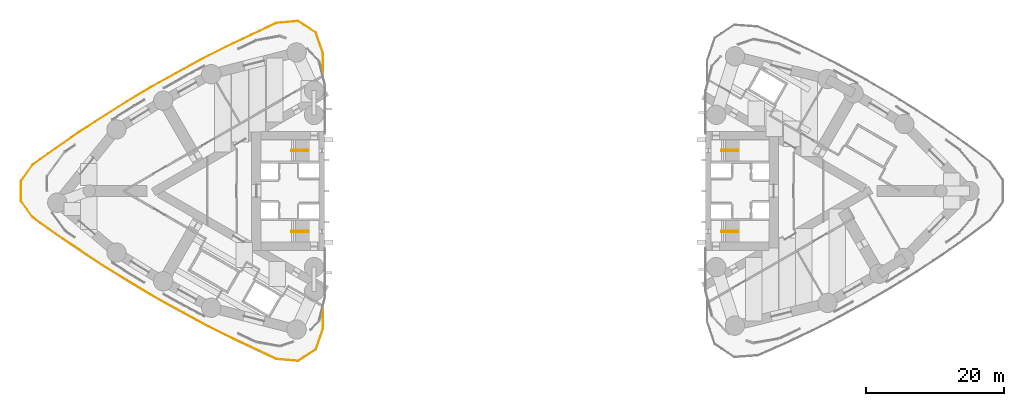
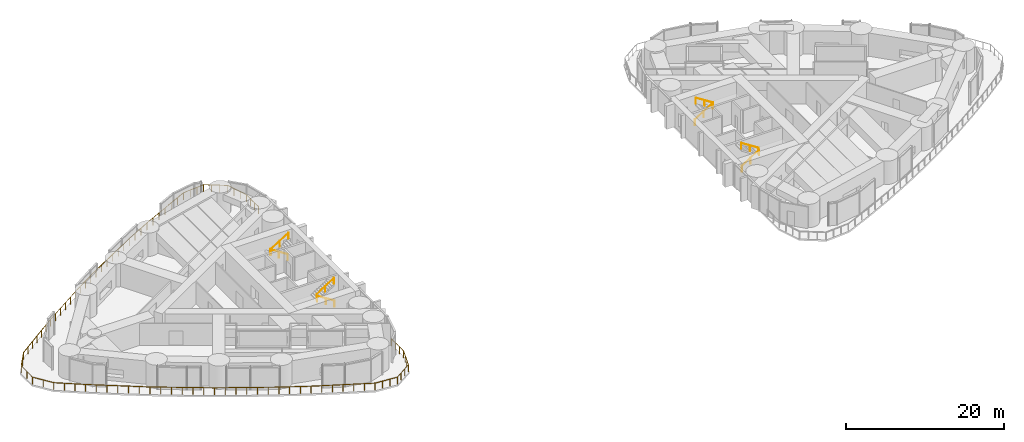
# One storey, part 16 of 17: 9 railings.
"""IFC4 building model written with IfcOpenShell, lengths in metres."""

from ifc_helpers import new_model, si_unit, direction, frame, origin, origin_2d, place, context, subcontext, project, spatial, circle, extrude, material, type_object, element, save


model = new_model("IFC4")

# Units and contexts
model_context = context("Model", 3, precision=1e-05, world=origin(), true_north=direction((0.0, 1.0)))
body_context = subcontext(model_context, "Body", "Model", "MODEL_VIEW")
ifc_project = project(units=[si_unit("LENGTHUNIT", "METRE"), si_unit("AREAUNIT", "SQUARE_METRE"), si_unit("VOLUMEUNIT", "CUBIC_METRE"), si_unit("PLANEANGLEUNIT", "RADIAN"), si_unit("MASSUNIT", "GRAM", prefix="KILO")], contexts=[model_context])

# Site, building, storey
site_placement = place(None, origin())
site = spatial("IfcSite", under=ifc_project, at=site_placement, CompositionType="ELEMENT")
building_placement = place(site_placement, origin())
building = spatial("IfcBuilding", under=site, at=building_placement, Name="Lancet Gate Hotel", CompositionType="ELEMENT")
storey_placement = place(building_placement, frame((0.0, 0.0, 152.699951171875)))
storey = spatial("IfcBuildingStorey", under=building, at=storey_placement, Name="L40", CompositionType="ELEMENT", Elevation=152.699951171875)

# Railings
ifc_material_1 = material(Name="Galvanised steel guard rail", Category="steel")
railing_type_1 = type_object("IfcRailingType", Name="Roof guard rail 1100", PredefinedType="GUARDRAIL", material=ifc_material_1)
railing_1_placement = place(storey_placement, frame((-27.77001953125, 16.881591796875, 0.0)))
element("IfcRailing", 1, at=railing_1_placement, inside=storey, type_object=railing_type_1, Name="T1 L40 maintenance roof guard rail", PredefinedType="GUARDRAIL", context=body_context, shape_type="SweptSolid", body=[
    extrude(circle(Radius=0.02392578125, at=origin_2d()), frame((0.0, 0.0, 1.076171875), z_axis=(0.0, 1.0, 0.0), x_axis=(-1.0, 0.0, 0.0)), (0.0, 0.0, 1.0), 3.044189453125),
    extrude(circle(Radius=0.02392578125, at=origin_2d()), frame((0.0, 3.044189453125, 1.076171875), z_axis=(-0.325493425459, 0.945544303554, 0.0), x_axis=(-0.945544303554, -0.325493425459, 0.0)), (0.0, 0.0, 1.0), 3.1171875),
    extrude(circle(Radius=0.02392578125, at=origin_2d()), frame((-1.0146484375, 5.99169921875, 1.076171875), z_axis=(-0.838599882662, 0.544747865346, 0.0), x_axis=(-0.544747865346, -0.838599882662, 0.0)), (0.0, 0.0, 1.0), 3.069091796875),
    extrude(circle(Radius=0.02392578125, at=origin_2d()), frame((-3.58837890625, 7.66357421875, 1.076171875), z_axis=(-0.996223514369, -0.086825741676, 0.0), x_axis=(0.086825741676, -0.996223514369, 0.0)), (0.0, 0.0, 1.0), 3.115478515625),
    extrude(circle(Radius=0.02392578125, at=origin_2d()), frame((-6.692138671875, 7.39306640625, 1.076171875), z_axis=(-0.904693404206, -0.42606319295, 0.0), x_axis=(0.42606319295, -0.904693404206, 0.0)), (0.0, 0.0, 1.0), 8.127685546875),
    extrude(circle(Radius=0.02392578125, at=origin_2d()), frame((-14.045166015625, 3.93017578125, 1.076171875), z_axis=(-0.890509467584, -0.454964710876, 0.0), x_axis=(0.454964710876, -0.890509467584, 0.0)), (0.0, 0.0, 1.0), 4.085693359375),
    extrude(circle(Radius=0.02392578125, at=origin_2d()), frame((-17.68359375, 2.0712890625, 1.076171875), z_axis=(-0.875328732377, -0.483528293148, 0.0), x_axis=(0.483528293148, -0.875328732377, 0.0)), (0.0, 0.0, 1.0), 8.171142578125),
    extrude(circle(Radius=0.02392578125, at=origin_2d()), frame((-24.8359375, -1.879638671875, 1.076171875), z_axis=(-0.859269748716, -0.511522725733, 0.0), x_axis=(0.511522725733, -0.859269748716, 0.0)), (0.0, 0.0, 1.0), 4.0859375),
    extrude(circle(Radius=0.02392578125, at=origin_2d()), frame((-28.346923828125, -3.9697265625, 1.076171875), z_axis=(-0.842315351348, -0.538985017309, 0.0), x_axis=(0.538985017309, -0.842315351348, 0.0)), (0.0, 0.0, 1.0), 8.1708984375),
    extrude(circle(Radius=0.02392578125, at=origin_2d()), frame((-35.2294921875, -8.373779296875, 1.076171875), z_axis=(-0.81834781701, -0.574723281585, 0.0), x_axis=(0.574723281585, -0.81834781701, 0.0)), (0.0, 0.0, 1.0), 8.130126953125),
    extrude(circle(Radius=0.02392578125, at=origin_2d()), frame((-41.8828125, -13.04638671875, 1.076171875), z_axis=(-0.584820626902, -0.811162643587, 0.0), x_axis=(0.811162643587, -0.584820626902, 0.0)), (0.0, 0.0, 1.0), 2.94140625),
    extrude(circle(Radius=0.02392578125, at=origin_2d()), frame((-43.60302734375, -15.432373046875, 1.076171875), z_axis=(0.0, -1.0, 0.0), x_axis=(1.0, 0.0, 0.0)), (0.0, 0.0, 1.0), 2.8984375),
    extrude(circle(Radius=0.02392578125, at=origin_2d()), frame((-43.60302734375, -18.330810546875, 1.076171875), z_axis=(0.584820626902, -0.811162643587, 0.0), x_axis=(0.811162643587, 0.584820626902, 0.0)), (0.0, 0.0, 1.0), 2.94140625),
    extrude(circle(Radius=0.02392578125, at=origin_2d()), frame((-41.8828125, -20.716796875, 1.076171875), z_axis=(0.8120743662, -0.583553959597, 0.0), x_axis=(0.583553959597, 0.8120743662, 0.0)), (0.0, 0.0, 1.0), 4.044677734375),
    extrude(circle(Radius=0.02392578125, at=origin_2d()), frame((-38.59814453125, -23.0771484375, 1.076171875), z_axis=(0.830521064907, -0.556987217757, 0.0), x_axis=(0.556987217757, 0.830521064907, 0.0)), (0.0, 0.0, 1.0), 8.171142578125),
    extrude(circle(Radius=0.02392578125, at=origin_2d()), frame((-31.811767578125, -27.62841796875, 1.076171875), z_axis=(0.853710649829, -0.520747660934, 0.0), x_axis=(0.520747660934, 0.853710649829, 0.0)), (0.0, 0.0, 1.0), 8.171142578125),
    extrude(circle(Radius=0.02392578125, at=origin_2d()), frame((-24.8359375, -31.883544921875, 1.076171875), z_axis=(0.875328732377, -0.483528293148, 0.0), x_axis=(0.483528293148, 0.875328732377, 0.0)), (0.0, 0.0, 1.0), 8.171142578125),
    extrude(circle(Radius=0.02392578125, at=origin_2d()), frame((-17.68359375, -35.83447265625, 1.076171875), z_axis=(0.890509467584, -0.454964710876, 0.0), x_axis=(0.454964710876, 0.890509467584, 0.0)), (0.0, 0.0, 1.0), 4.085693359375),
    extrude(circle(Radius=0.02392578125, at=origin_2d()), frame((-14.045166015625, -37.693359375, 1.076171875), z_axis=(0.904693404206, -0.42606319295, 0.0), x_axis=(0.42606319295, 0.904693404206, 0.0)), (0.0, 0.0, 1.0), 8.127685546875),
    extrude(circle(Radius=0.02392578125, at=origin_2d()), frame((-6.692138671875, -41.15625, 1.076171875), z_axis=(0.996223514369, -0.086825741676, 0.0), x_axis=(0.086825741676, 0.996223514369, 0.0)), (0.0, 0.0, 1.0), 3.115478515625),
    extrude(circle(Radius=0.02392578125, at=origin_2d()), frame((-3.58837890625, -41.4267578125, 1.076171875), z_axis=(0.838599882662, 0.544747865346, 0.0), x_axis=(-0.544747865346, 0.838599882662, 0.0)), (0.0, 0.0, 1.0), 3.069091796875),
    extrude(circle(Radius=0.02392578125, at=origin_2d()), frame((-1.0146484375, -39.7548828125, 1.076171875), z_axis=(0.325493425459, 0.945544303554, 0.0), x_axis=(-0.945544303554, 0.325493425459, 0.0)), (0.0, 0.0, 1.0), 3.1171875),
    extrude(circle(Radius=0.02392578125, at=origin_2d()), frame((0.0, -36.807373046875, 1.076171875), z_axis=(0.0, 1.0, 0.0), x_axis=(-1.0, 0.0, 0.0)), (0.0, 0.0, 1.0), 3.044189453125),
    extrude(circle(Radius=0.02099609375, at=origin_2d()), origin(), (0.0, 0.0, 1.0), 1.052001953125),
    extrude(circle(Radius=0.02099609375, at=origin_2d()), frame((0.0, 1.0146484375, 0.0)), (0.0, 0.0, 1.0), 1.052001953125),
    extrude(circle(Radius=0.02099609375, at=origin_2d()), frame((0.0, 2.029541015625, 0.0)), (0.0, 0.0, 1.0), 1.052001953125),
    extrude(circle(Radius=0.02099609375, at=origin_2d()), frame((0.0, 3.044189453125, 0.0)), (0.0, 0.0, 1.0), 1.052001953125),
    extrude(circle(Radius=0.02099609375, at=origin_2d()), frame((-0.338134765625, 4.026611328125, 0.0)), (0.0, 0.0, 1.0), 1.052001953125),
    extrude(circle(Radius=0.02099609375, at=origin_2d()), frame((-0.676513671875, 5.00927734375, 0.0)), (0.0, 0.0, 1.0), 1.052001953125),
    extrude(circle(Radius=0.02099609375, at=origin_2d()), frame((-1.0146484375, 5.99169921875, 0.0)), (0.0, 0.0, 1.0), 1.052001953125),
    extrude(circle(Radius=0.02099609375, at=origin_2d()), frame((-1.87255859375, 6.549072265625, 0.0)), (0.0, 0.0, 1.0), 1.052001953125),
    extrude(circle(Radius=0.02099609375, at=origin_2d()), frame((-2.73046875, 7.106201171875, 0.0)), (0.0, 0.0, 1.0), 1.052001953125),
    extrude(circle(Radius=0.02099609375, at=origin_2d()), frame((-3.58837890625, 7.66357421875, 0.0)), (0.0, 0.0, 1.0), 1.052001953125),
    extrude(circle(Radius=0.02099609375, at=origin_2d()), frame((-4.623046875, 7.573486328125, 0.0)), (0.0, 0.0, 1.0), 1.052001953125),
    extrude(circle(Radius=0.02099609375, at=origin_2d()), frame((-5.657470703125, 7.483154296875, 0.0)), (0.0, 0.0, 1.0), 1.052001953125),
    extrude(circle(Radius=0.02099609375, at=origin_2d()), frame((-6.692138671875, 7.39306640625, 0.0)), (0.0, 0.0, 1.0), 1.052001953125),
    extrude(circle(Radius=0.02099609375, at=origin_2d()), frame((-7.917724609375, 6.81591796875, 0.0)), (0.0, 0.0, 1.0), 1.052001953125),
    extrude(circle(Radius=0.02099609375, at=origin_2d()), frame((-9.14306640625, 6.23876953125, 0.0)), (0.0, 0.0, 1.0), 1.052001953125),
    extrude(circle(Radius=0.02099609375, at=origin_2d()), frame((-10.36865234375, 5.66162109375, 0.0)), (0.0, 0.0, 1.0), 1.052001953125),
    extrude(circle(Radius=0.02099609375, at=origin_2d()), frame((-11.59423828125, 5.08447265625, 0.0)), (0.0, 0.0, 1.0), 1.052001953125),
    extrude(circle(Radius=0.02099609375, at=origin_2d()), frame((-12.819580078125, 4.50732421875, 0.0)), (0.0, 0.0, 1.0), 1.052001953125),
    extrude(circle(Radius=0.02099609375, at=origin_2d()), frame((-14.045166015625, 3.93017578125, 0.0)), (0.0, 0.0, 1.0), 1.052001953125),
    extrude(circle(Radius=0.02099609375, at=origin_2d()), frame((-15.258056640625, 3.310546875, 0.0)), (0.0, 0.0, 1.0), 1.052001953125),
    extrude(circle(Radius=0.02099609375, at=origin_2d()), frame((-16.470703125, 2.69091796875, 0.0)), (0.0, 0.0, 1.0), 1.052001953125),
    extrude(circle(Radius=0.02099609375, at=origin_2d()), frame((-17.68359375, 2.0712890625, 0.0)), (0.0, 0.0, 1.0), 1.052001953125),
    extrude(circle(Radius=0.02099609375, at=origin_2d()), frame((-18.875732421875, 1.412841796875, 0.0)), (0.0, 0.0, 1.0), 1.052001953125),
    extrude(circle(Radius=0.02099609375, at=origin_2d()), frame((-20.067626953125, 0.75439453125, 0.0)), (0.0, 0.0, 1.0), 1.052001953125),
    extrude(circle(Radius=0.02099609375, at=origin_2d()), frame((-21.259765625, 0.095703125, 0.0)), (0.0, 0.0, 1.0), 1.052001953125),
    extrude(circle(Radius=0.02099609375, at=origin_2d()), frame((-22.451904296875, -0.562744140625, 0.0)), (0.0, 0.0, 1.0), 1.052001953125),
    extrude(circle(Radius=0.02099609375, at=origin_2d()), frame((-23.643798828125, -1.22119140625, 0.0)), (0.0, 0.0, 1.0), 1.052001953125),
    extrude(circle(Radius=0.02099609375, at=origin_2d()), frame((-24.8359375, -1.879638671875, 0.0)), (0.0, 0.0, 1.0), 1.052001953125),
    extrude(circle(Radius=0.02099609375, at=origin_2d()), frame((-26.00634765625, -2.576416015625, 0.0)), (0.0, 0.0, 1.0), 1.052001953125),
    extrude(circle(Radius=0.02099609375, at=origin_2d()), frame((-27.176513671875, -3.27294921875, 0.0)), (0.0, 0.0, 1.0), 1.052001953125),
    extrude(circle(Radius=0.02099609375, at=origin_2d()), frame((-28.346923828125, -3.9697265625, 0.0)), (0.0, 0.0, 1.0), 1.052001953125),
    extrude(circle(Radius=0.02099609375, at=origin_2d()), frame((-29.494140625, -4.70361328125, 0.0)), (0.0, 0.0, 1.0), 1.052001953125),
    extrude(circle(Radius=0.02099609375, at=origin_2d()), frame((-30.64111328125, -5.437744140625, 0.0)), (0.0, 0.0, 1.0), 1.052001953125),
    extrude(circle(Radius=0.02099609375, at=origin_2d()), frame((-31.7880859375, -6.171875, 0.0)), (0.0, 0.0, 1.0), 1.052001953125),
    extrude(circle(Radius=0.02099609375, at=origin_2d()), frame((-32.935302734375, -6.90576171875, 0.0)), (0.0, 0.0, 1.0), 1.052001953125),
    extrude(circle(Radius=0.02099609375, at=origin_2d()), frame((-34.08251953125, -7.6396484375, 0.0)), (0.0, 0.0, 1.0), 1.052001953125),
    extrude(circle(Radius=0.02099609375, at=origin_2d()), frame((-35.2294921875, -8.373779296875, 0.0)), (0.0, 0.0, 1.0), 1.052001953125),
    extrude(circle(Radius=0.02099609375, at=origin_2d()), frame((-36.33837890625, -9.152587890625, 0.0)), (0.0, 0.0, 1.0), 1.052001953125),
    extrude(circle(Radius=0.02099609375, at=origin_2d()), frame((-37.447265625, -9.931396484375, 0.0)), (0.0, 0.0, 1.0), 1.052001953125),
    extrude(circle(Radius=0.02099609375, at=origin_2d()), frame((-38.55615234375, -10.7099609375, 0.0)), (0.0, 0.0, 1.0), 1.052001953125),
    extrude(circle(Radius=0.02099609375, at=origin_2d()), frame((-39.6650390625, -11.48876953125, 0.0)), (0.0, 0.0, 1.0), 1.052001953125),
    extrude(circle(Radius=0.02099609375, at=origin_2d()), frame((-40.77392578125, -12.267578125, 0.0)), (0.0, 0.0, 1.0), 1.052001953125),
    extrude(circle(Radius=0.02099609375, at=origin_2d()), frame((-41.8828125, -13.04638671875, 0.0)), (0.0, 0.0, 1.0), 1.052001953125),
    extrude(circle(Radius=0.02099609375, at=origin_2d()), frame((-42.742919921875, -14.2392578125, 0.0)), (0.0, 0.0, 1.0), 1.052001953125),
    extrude(circle(Radius=0.02099609375, at=origin_2d()), frame((-43.60302734375, -15.432373046875, 0.0)), (0.0, 0.0, 1.0), 1.052001953125),
    extrude(circle(Radius=0.02099609375, at=origin_2d()), frame((-43.60302734375, -16.881591796875, 0.0)), (0.0, 0.0, 1.0), 1.052001953125),
    extrude(circle(Radius=0.02099609375, at=origin_2d()), frame((-43.60302734375, -18.330810546875, 0.0)), (0.0, 0.0, 1.0), 1.052001953125),
    extrude(circle(Radius=0.02099609375, at=origin_2d()), frame((-42.742919921875, -19.52392578125, 0.0)), (0.0, 0.0, 1.0), 1.052001953125),
    extrude(circle(Radius=0.02099609375, at=origin_2d()), frame((-41.8828125, -20.716796875, 0.0)), (0.0, 0.0, 1.0), 1.052001953125),
    extrude(circle(Radius=0.02099609375, at=origin_2d()), frame((-40.787841796875, -21.503662109375, 0.0)), (0.0, 0.0, 1.0), 1.052001953125),
    extrude(circle(Radius=0.02099609375, at=origin_2d()), frame((-39.693115234375, -22.290283203125, 0.0)), (0.0, 0.0, 1.0), 1.052001953125),
    extrude(circle(Radius=0.02099609375, at=origin_2d()), frame((-38.59814453125, -23.0771484375, 0.0)), (0.0, 0.0, 1.0), 1.052001953125),
    extrude(circle(Radius=0.02099609375, at=origin_2d()), frame((-37.467041015625, -23.835693359375, 0.0)), (0.0, 0.0, 1.0), 1.052001953125),
    extrude(circle(Radius=0.02099609375, at=origin_2d()), frame((-36.3359375, -24.59423828125, 0.0)), (0.0, 0.0, 1.0), 1.052001953125),
    extrude(circle(Radius=0.02099609375, at=origin_2d()), frame((-35.205078125, -25.352783203125, 0.0)), (0.0, 0.0, 1.0), 1.052001953125),
    extrude(circle(Radius=0.02099609375, at=origin_2d()), frame((-34.073974609375, -26.111328125, 0.0)), (0.0, 0.0, 1.0), 1.052001953125),
    extrude(circle(Radius=0.02099609375, at=origin_2d()), frame((-32.94287109375, -26.869873046875, 0.0)), (0.0, 0.0, 1.0), 1.052001953125),
    extrude(circle(Radius=0.02099609375, at=origin_2d()), frame((-31.811767578125, -27.62841796875, 0.0)), (0.0, 0.0, 1.0), 1.052001953125),
    extrude(circle(Radius=0.02099609375, at=origin_2d()), frame((-30.649169921875, -28.337646484375, 0.0)), (0.0, 0.0, 1.0), 1.052001953125),
    extrude(circle(Radius=0.02099609375, at=origin_2d()), frame((-29.486572265625, -29.046875, 0.0)), (0.0, 0.0, 1.0), 1.052001953125),
    extrude(circle(Radius=0.02099609375, at=origin_2d()), frame((-28.32373046875, -29.755859375, 0.0)), (0.0, 0.0, 1.0), 1.052001953125),
    extrude(circle(Radius=0.02099609375, at=origin_2d()), frame((-27.1611328125, -30.465087890625, 0.0)), (0.0, 0.0, 1.0), 1.052001953125),
    extrude(circle(Radius=0.02099609375, at=origin_2d()), frame((-25.99853515625, -31.17431640625, 0.0)), (0.0, 0.0, 1.0), 1.052001953125),
    extrude(circle(Radius=0.02099609375, at=origin_2d()), frame((-24.8359375, -31.883544921875, 0.0)), (0.0, 0.0, 1.0), 1.052001953125),
    extrude(circle(Radius=0.02099609375, at=origin_2d()), frame((-23.643798828125, -32.5419921875, 0.0)), (0.0, 0.0, 1.0), 1.052001953125),
    extrude(circle(Radius=0.02099609375, at=origin_2d()), frame((-22.451904296875, -33.200439453125, 0.0)), (0.0, 0.0, 1.0), 1.052001953125),
    extrude(circle(Radius=0.02099609375, at=origin_2d()), frame((-21.259765625, -33.85888671875, 0.0)), (0.0, 0.0, 1.0), 1.052001953125),
    extrude(circle(Radius=0.02099609375, at=origin_2d()), frame((-20.067626953125, -34.517578125, 0.0)), (0.0, 0.0, 1.0), 1.052001953125),
    extrude(circle(Radius=0.02099609375, at=origin_2d()), frame((-18.875732421875, -35.176025390625, 0.0)), (0.0, 0.0, 1.0), 1.052001953125),
    extrude(circle(Radius=0.02099609375, at=origin_2d()), frame((-17.68359375, -35.83447265625, 0.0)), (0.0, 0.0, 1.0), 1.052001953125),
    extrude(circle(Radius=0.02099609375, at=origin_2d()), frame((-16.470703125, -36.4541015625, 0.0)), (0.0, 0.0, 1.0), 1.052001953125),
    extrude(circle(Radius=0.02099609375, at=origin_2d()), frame((-15.258056640625, -37.07373046875, 0.0)), (0.0, 0.0, 1.0), 1.052001953125),
    extrude(circle(Radius=0.02099609375, at=origin_2d()), frame((-14.045166015625, -37.693359375, 0.0)), (0.0, 0.0, 1.0), 1.052001953125),
    extrude(circle(Radius=0.02099609375, at=origin_2d()), frame((-12.819580078125, -38.2705078125, 0.0)), (0.0, 0.0, 1.0), 1.052001953125),
    extrude(circle(Radius=0.02099609375, at=origin_2d()), frame((-11.59423828125, -38.84765625, 0.0)), (0.0, 0.0, 1.0), 1.052001953125),
    extrude(circle(Radius=0.02099609375, at=origin_2d()), frame((-10.36865234375, -39.4248046875, 0.0)), (0.0, 0.0, 1.0), 1.052001953125),
    extrude(circle(Radius=0.02099609375, at=origin_2d()), frame((-9.14306640625, -40.001953125, 0.0)), (0.0, 0.0, 1.0), 1.052001953125),
    extrude(circle(Radius=0.02099609375, at=origin_2d()), frame((-7.917724609375, -40.5791015625, 0.0)), (0.0, 0.0, 1.0), 1.052001953125),
    extrude(circle(Radius=0.02099609375, at=origin_2d()), frame((-6.692138671875, -41.15625, 0.0)), (0.0, 0.0, 1.0), 1.052001953125),
    extrude(circle(Radius=0.02099609375, at=origin_2d()), frame((-5.657470703125, -41.246337890625, 0.0)), (0.0, 0.0, 1.0), 1.052001953125),
    extrude(circle(Radius=0.02099609375, at=origin_2d()), frame((-4.623046875, -41.336669921875, 0.0)), (0.0, 0.0, 1.0), 1.052001953125),
    extrude(circle(Radius=0.02099609375, at=origin_2d()), frame((-3.58837890625, -41.4267578125, 0.0)), (0.0, 0.0, 1.0), 1.052001953125),
    extrude(circle(Radius=0.02099609375, at=origin_2d()), frame((-2.73046875, -40.869384765625, 0.0)), (0.0, 0.0, 1.0), 1.052001953125),
    extrude(circle(Radius=0.02099609375, at=origin_2d()), frame((-1.87255859375, -40.312255859375, 0.0)), (0.0, 0.0, 1.0), 1.052001953125),
    extrude(circle(Radius=0.02099609375, at=origin_2d()), frame((-1.0146484375, -39.7548828125, 0.0)), (0.0, 0.0, 1.0), 1.052001953125),
    extrude(circle(Radius=0.02099609375, at=origin_2d()), frame((-0.676513671875, -38.7724609375, 0.0)), (0.0, 0.0, 1.0), 1.052001953125),
    extrude(circle(Radius=0.02099609375, at=origin_2d()), frame((-0.338134765625, -37.789794921875, 0.0)), (0.0, 0.0, 1.0), 1.052001953125),
    extrude(circle(Radius=0.02099609375, at=origin_2d()), frame((0.0, -36.807373046875, 0.0)), (0.0, 0.0, 1.0), 1.052001953125),
    extrude(circle(Radius=0.02099609375, at=origin_2d()), frame((0.0, -35.792724609375, 0.0)), (0.0, 0.0, 1.0), 1.052001953125),
    extrude(circle(Radius=0.02099609375, at=origin_2d()), frame((0.0, -34.77783203125, 0.0)), (0.0, 0.0, 1.0), 1.052001953125),
    extrude(circle(Radius=0.02099609375, at=origin_2d()), frame((0.0, -33.76318359375, 0.0)), (0.0, 0.0, 1.0), 1.052001953125),
])
ifc_material_2 = material(Name="Stainless steel handrail", Category="steel")
railing_type_2 = type_object("IfcRailingType", Name="Stair handrail 900", PredefinedType="HANDRAIL", material=ifc_material_2)
railing_2_placement = place(storey_placement, frame((-29.800048828125, 5.929931640625, 0.179931640625)))
element("IfcRailing", 2, at=railing_2_placement, inside=storey, type_object=railing_type_2, Name="ST1 handrail flight 1 L40", PredefinedType="HANDRAIL", context=body_context, shape_type="SweptSolid", body=[
    extrude(circle(Radius=0.02392578125, at=origin_2d()), frame((0.0, 0.0, 0.8759765625), z_axis=(-0.841162588446, 0.0, 0.540782303519), x_axis=(0.0, -1.0, 0.0)), (0.0, 0.0, 1.0), 2.995849609375),
    extrude(circle(Radius=0.02099609375, at=origin_2d()), origin(), (0.0, 0.0, 1.0), 0.851806640625),
    extrude(circle(Radius=0.02099609375, at=origin_2d()), frame((-1.260009765625, 0.0, 0.81005859375)), (0.0, 0.0, 1.0), 0.851806640625),
    extrude(circle(Radius=0.02099609375, at=origin_2d()), frame((-2.52001953125, 0.0, 1.6201171875)), (0.0, 0.0, 1.0), 0.851806640625),
])
railing_3_placement = place(storey_placement, frame((-32.320068359375, 5.77001953125, 1.97998046875)))
element("IfcRailing", 3, at=railing_3_placement, inside=storey, type_object=railing_type_2, Name="ST1 handrail flight 2 L40", PredefinedType="HANDRAIL", context=body_context, shape_type="SweptSolid", body=[
    extrude(circle(Radius=0.02392578125, at=origin_2d()), frame((0.0, 0.0, 0.8759765625), z_axis=(0.841162588446, 0.0, 0.540782303519), x_axis=(0.0, 1.0, 0.0)), (0.0, 0.0, 1.0), 2.995849609375),
    extrude(circle(Radius=0.02099609375, at=origin_2d()), origin(), (0.0, 0.0, 1.0), 0.851806640625),
    extrude(circle(Radius=0.02099609375, at=origin_2d()), frame((1.260009765625, 0.0, 0.81005859375)), (0.0, 0.0, 1.0), 0.851806640625),
    extrude(circle(Radius=0.02099609375, at=origin_2d()), frame((2.52001953125, 0.0, 1.6201171875)), (0.0, 0.0, 1.0), 0.851806640625),
])
railing_4_placement = place(storey_placement, frame((-29.800048828125, -5.929931640625, 0.179931640625)))
element("IfcRailing", 4, at=railing_4_placement, inside=storey, type_object=railing_type_2, Name="ST2 handrail flight 1 L40", PredefinedType="HANDRAIL", context=body_context, shape_type="SweptSolid", body=[
    extrude(circle(Radius=0.02392578125, at=origin_2d()), frame((0.0, 0.0, 0.8759765625), z_axis=(-0.841162588446, 0.0, 0.540782303519), x_axis=(0.0, -1.0, 0.0)), (0.0, 0.0, 1.0), 2.995849609375),
    extrude(circle(Radius=0.02099609375, at=origin_2d()), origin(), (0.0, 0.0, 1.0), 0.851806640625),
    extrude(circle(Radius=0.02099609375, at=origin_2d()), frame((-1.260009765625, 0.0, 0.81005859375)), (0.0, 0.0, 1.0), 0.851806640625),
    extrude(circle(Radius=0.02099609375, at=origin_2d()), frame((-2.52001953125, 0.0, 1.6201171875)), (0.0, 0.0, 1.0), 0.851806640625),
])
for number, where, name in (
    (5, (-32.320068359375, -5.77001953125, 1.97998046875), "ST2 handrail flight 2 L40"),
    (6, (29.800048828125, -5.929931640625, 0.179931640625), "ST3 handrail flight 1 L40"),
):
    element("IfcRailing", number, at=place(storey_placement, frame(where)), inside=storey, type_object=railing_type_2, Name=name, PredefinedType="HANDRAIL", context=body_context, shape_type="SweptSolid", body=[
        extrude(circle(Radius=0.02392578125, at=origin_2d()), frame((0.0, 0.0, 0.8759765625), z_axis=(0.841162588446, 0.0, 0.540782303519), x_axis=(0.0, 1.0, 0.0)), (0.0, 0.0, 1.0), 2.995849609375),
        extrude(circle(Radius=0.02099609375, at=origin_2d()), origin(), (0.0, 0.0, 1.0), 0.851806640625),
        extrude(circle(Radius=0.02099609375, at=origin_2d()), frame((1.260009765625, 0.0, 0.81005859375)), (0.0, 0.0, 1.0), 0.851806640625),
        extrude(circle(Radius=0.02099609375, at=origin_2d()), frame((2.52001953125, 0.0, 1.6201171875)), (0.0, 0.0, 1.0), 0.851806640625),
    ])
railing_5_placement = place(storey_placement, frame((32.320068359375, -5.77001953125, 1.97998046875)))
element("IfcRailing", 7, at=railing_5_placement, inside=storey, type_object=railing_type_2, Name="ST3 handrail flight 2 L40", PredefinedType="HANDRAIL", context=body_context, shape_type="SweptSolid", body=[
    extrude(circle(Radius=0.02392578125, at=origin_2d()), frame((0.0, 0.0, 0.8759765625), z_axis=(-0.841162588446, 0.0, 0.540782303519), x_axis=(0.0, -1.0, 0.0)), (0.0, 0.0, 1.0), 2.995849609375),
    extrude(circle(Radius=0.02099609375, at=origin_2d()), origin(), (0.0, 0.0, 1.0), 0.851806640625),
    extrude(circle(Radius=0.02099609375, at=origin_2d()), frame((-1.260009765625, 0.0, 0.81005859375)), (0.0, 0.0, 1.0), 0.851806640625),
    extrude(circle(Radius=0.02099609375, at=origin_2d()), frame((-2.52001953125, 0.0, 1.6201171875)), (0.0, 0.0, 1.0), 0.851806640625),
])
railing_6_placement = place(storey_placement, frame((29.800048828125, 5.929931640625, 0.179931640625)))
element("IfcRailing", 8, at=railing_6_placement, inside=storey, type_object=railing_type_2, Name="ST4 handrail flight 1 L40", PredefinedType="HANDRAIL", context=body_context, shape_type="SweptSolid", body=[
    extrude(circle(Radius=0.02392578125, at=origin_2d()), frame((0.0, 0.0, 0.8759765625), z_axis=(0.841162588446, 0.0, 0.540782303519), x_axis=(0.0, 1.0, 0.0)), (0.0, 0.0, 1.0), 2.995849609375),
    extrude(circle(Radius=0.02099609375, at=origin_2d()), origin(), (0.0, 0.0, 1.0), 0.851806640625),
    extrude(circle(Radius=0.02099609375, at=origin_2d()), frame((1.260009765625, 0.0, 0.81005859375)), (0.0, 0.0, 1.0), 0.851806640625),
    extrude(circle(Radius=0.02099609375, at=origin_2d()), frame((2.52001953125, 0.0, 1.6201171875)), (0.0, 0.0, 1.0), 0.851806640625),
])
railing_7_placement = place(storey_placement, frame((32.320068359375, 5.77001953125, 1.97998046875)))
element("IfcRailing", 9, at=railing_7_placement, inside=storey, type_object=railing_type_2, Name="ST4 handrail flight 2 L40", PredefinedType="HANDRAIL", context=body_context, shape_type="SweptSolid", body=[
    extrude(circle(Radius=0.02392578125, at=origin_2d()), frame((0.0, 0.0, 0.8759765625), z_axis=(-0.841162588446, 0.0, 0.540782303519), x_axis=(0.0, -1.0, 0.0)), (0.0, 0.0, 1.0), 2.995849609375),
    extrude(circle(Radius=0.02099609375, at=origin_2d()), origin(), (0.0, 0.0, 1.0), 0.851806640625),
    extrude(circle(Radius=0.02099609375, at=origin_2d()), frame((-1.260009765625, 0.0, 0.81005859375)), (0.0, 0.0, 1.0), 0.851806640625),
    extrude(circle(Radius=0.02099609375, at=origin_2d()), frame((-2.52001953125, 0.0, 1.6201171875)), (0.0, 0.0, 1.0), 0.851806640625),
])

save(model, "model.ifc")
